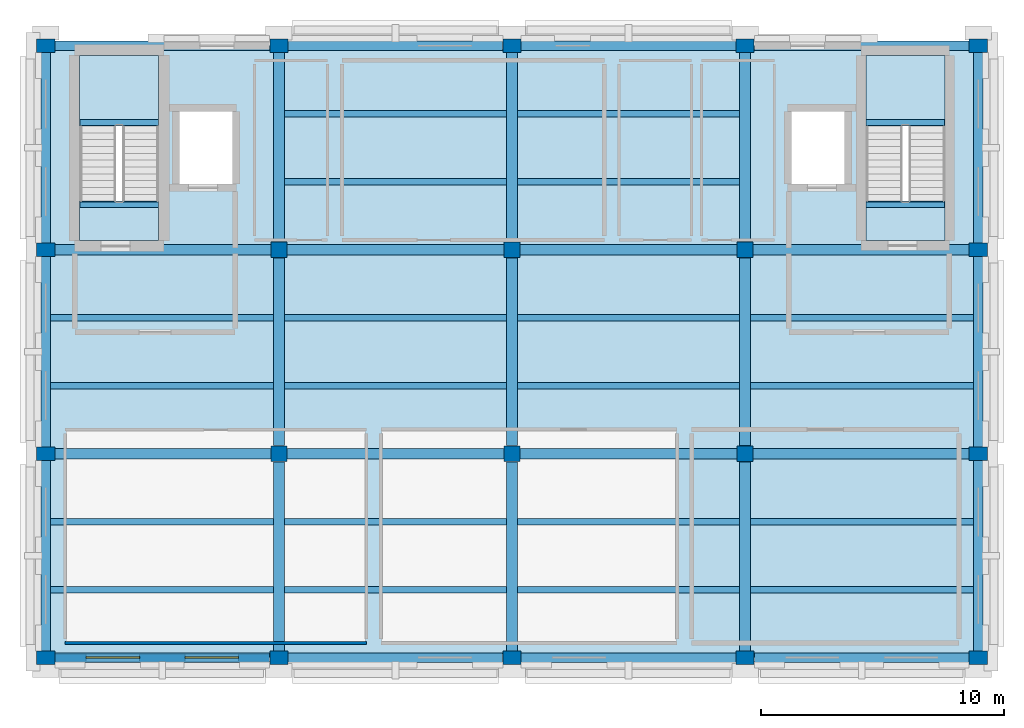
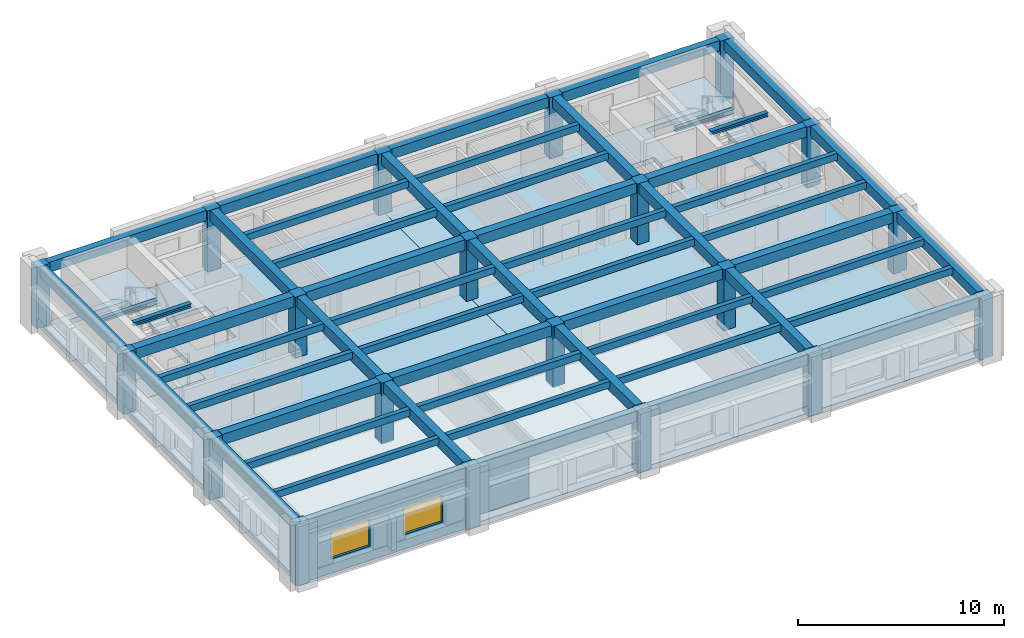
# One storey, part 1 of 7: 55 beams, 20 columns, 6 slabs, 2 walls, 2 windows, 2 openings, 2 elements without a shape of their own.
"""IFC4 building model written with IfcOpenShell, lengths in metres."""

from ifc_helpers import new_model, si_unit, direction, frame, frame_2d, origin, origin_2d, place, context, subcontext, project, spatial, polyline, rectangle, i_section, outline, extrude, material, layer, layer_set, material_profile, profile_set, type_object, element, fill, aggregate, save


model = new_model("IFC4")

# Units and contexts
model_context = context("Model", 3, precision=1e-05, world=origin(), true_north=direction((0.0, 1.0)))
body_context = subcontext(model_context, "Body", "Model", "MODEL_VIEW")
ifc_project = project(units=[si_unit("LENGTHUNIT", "METRE"), si_unit("AREAUNIT", "SQUARE_METRE"), si_unit("VOLUMEUNIT", "CUBIC_METRE"), si_unit("PLANEANGLEUNIT", "RADIAN"), si_unit("MASSUNIT", "GRAM", prefix="KILO")], contexts=[model_context])

# Site, building, storey
site_placement = place(None, origin())
site = spatial("IfcSite", under=ifc_project, at=site_placement, CompositionType="ELEMENT")
building_placement = place(site_placement, origin())
building = spatial("IfcBuilding", under=site, at=building_placement, Name="Bempovik Park Faculty of Sciences", CompositionType="ELEMENT")
storey_placement = place(building_placement, frame((0.0, 0.0, 42.300048828125)))
storey = spatial("IfcBuildingStorey", under=building, at=storey_placement, Name="L10", CompositionType="ELEMENT", Elevation=42.300048828125)

# Columns
ifc_material_1 = material(Name="Concrete C40/50", Category="concrete")
ifc_material_profile_1 = material_profile(ifc_material_1, rectangle(XDim=0.75, YDim=0.550048828125, at=origin_2d()), Name="RC 750x550")
ifc_profile_set_1 = profile_set([ifc_material_profile_1], Name="Concrete C40/50")
column_type_1 = type_object("IfcColumnType", Name="C-43 RC 750x550", PredefinedType="COLUMN", material=ifc_profile_set_1)
for number, where, z_axis, x_axis, name in (
    (1, (69.60009765625, 94.199951171875, 0.0), (0.0, 0.0, 1.0), (1.0, 0.0, 0.0), "L10 Structural Column (69.6,94.2)"),
    (2, (69.60009765625, 102.60009765625, 0.0), (0.0, 0.0, 1.0), (1.0, 0.0, 0.0), "L10 Structural Column (69.6,102.6)"),
    (3, (69.60009765625, 111.0, 0.0), (0.0, 0.0, 1.0), (1.0, 0.0, 0.0), "L10 Structural Column (69.6,111.0)"),
    (4, (69.60009765625, 119.39990234375, 0.0), (0.0, 0.0, 1.0), (1.0, 0.0, 0.0), "L10 Structural Column (69.6,119.4)"),
    (5, (79.199951171875, 94.199951171875, 0.0), (0.0, 0.0, 1.0), (1.0, 0.0, 0.0), "L10 Structural Column (79.2,94.2)"),
    (6, (79.199951171875, 119.39990234375, 0.0), (0.0, 0.0, 1.0), (1.0, 0.0, 0.0), "L10 Structural Column (79.2,119.4)"),
    (7, (88.800048828125, 94.199951171875, 0.0), (0.0, 0.0, 1.0), (1.0, 0.0, 0.0), "L10 Structural Column (88.8,94.2)"),
    (8, (88.800048828125, 119.39990234375, 0.0), (0.0, 0.0, 1.0), (1.0, 0.0, 0.0), "L10 Structural Column (88.8,119.4)"),
    (9, (98.39990234375, 94.199951171875, 0.0), (0.0, 0.0, 1.0), (1.0, 0.0, 0.0), "L10 Structural Column (98.4,94.2)"),
    (10, (98.39990234375, 119.39990234375, 0.0), (0.0, 0.0, 1.0), (1.0, 0.0, 0.0), "L10 Structural Column (98.4,119.4)"),
    (11, (108.0, 94.199951171875, 0.0), (0.0, 0.0, 1.0), (1.0, 0.0, 0.0), "L10 Structural Column (108.0,94.2)"),
    (12, (108.0, 102.60009765625, 0.0), (0.0, 0.0, 1.0), (1.0, 0.0, 0.0), "L10 Structural Column (108.0,102.6)"),
    (13, (108.0, 111.0, 0.0), (0.0, 0.0, 1.0), (1.0, 0.0, 0.0), "L10 Structural Column (108.0,111.0)"),
    (14, (108.0, 119.39990234375, 0.0), (0.0, 0.0, 1.0), (1.0, 0.0, 0.0), "L10 Structural Column (108.0,119.4)"),
):
    element("IfcColumn", number, at=place(storey_placement, frame(where, z_axis=z_axis, x_axis=x_axis)), inside=storey, type_object=column_type_1, Name=name, PredefinedType="COLUMN", context=body_context, shape_type="SweptSolid", body=[
        extrude(rectangle(XDim=0.75, YDim=0.550048828125, at=origin_2d()), origin(), (0.0, 0.0, 1.0), 3.619873046875),
    ])
ifc_material_profile_2 = material_profile(ifc_material_1, rectangle(XDim=0.64990234375, YDim=0.64990234375, at=origin_2d()), Name="RC 650x650")
ifc_profile_set_2 = profile_set([ifc_material_profile_2], Name="Concrete C40/50")
column_type_2 = type_object("IfcColumnType", Name="C-82 RC 650x650", PredefinedType="COLUMN", material=ifc_profile_set_2)
for number, where, z_axis, x_axis, name in (
    (15, (79.199951171875, 102.60009765625, 0.0), (0.0, 0.0, 1.0), (1.0, 0.0, 0.0), "L10 Structural Column (79.2,102.6)"),
    (16, (79.199951171875, 111.0, 0.0), (0.0, 0.0, 1.0), (1.0, 0.0, 0.0), "L10 Structural Column (79.2,111.0)"),
    (17, (88.800048828125, 102.60009765625, 0.0), (0.0, 0.0, 1.0), (1.0, 0.0, 0.0), "L10 Structural Column (88.8,102.6)"),
    (18, (88.800048828125, 111.0, 0.0), (0.0, 0.0, 1.0), (1.0, 0.0, 0.0), "L10 Structural Column (88.8,111.0)"),
    (19, (98.39990234375, 102.60009765625, 0.0), (0.0, 0.0, 1.0), (1.0, 0.0, 0.0), "L10 Structural Column (98.4,102.6)"),
    (20, (98.39990234375, 111.0, 0.0), (0.0, 0.0, 1.0), (1.0, 0.0, 0.0), "L10 Structural Column (98.4,111.0)"),
):
    element("IfcColumn", number, at=place(storey_placement, frame(where, z_axis=z_axis, x_axis=x_axis)), inside=storey, type_object=column_type_2, Name=name, PredefinedType="COLUMN", context=body_context, shape_type="SweptSolid", body=[
        extrude(rectangle(XDim=0.64990234375, YDim=0.64990234375, at=origin_2d()), origin(), (0.0, 0.0, 1.0), 3.619873046875),
    ])

# Beams
ifc_material_2 = material(Name="Concrete C35/45", Category="concrete")
ifc_material_profile_3 = material_profile(ifc_material_2, rectangle(XDim=0.3798828125, YDim=0.60009765625, at=origin_2d()), Name="RC 380x600")
ifc_profile_set_3 = profile_set([ifc_material_profile_3], Name="Concrete C35/45")
beam_type_1 = type_object("IfcBeamType", Name="B-032 RC 380x600", PredefinedType="SPANDREL", material=ifc_profile_set_3)
beam_1_placement = place(storey_placement, frame((69.98095703125, 94.199951171875, 3.320068359375), z_axis=(1.0, 0.0, 0.0), x_axis=(0.0, 1.0, 0.0)))
element("IfcBeam", 21, at=beam_1_placement, inside=storey, type_object=beam_type_1, Name="L10 Beam X (69.6-79.2, y=94.2)", PredefinedType="SPANDREL", context=body_context, shape_type="SweptSolid", body=[
    extrude(rectangle(XDim=0.3798828125, YDim=0.60009765625, at=origin_2d()), origin(), (0.0, 0.0, 1.0), 8.838134765625),
])
beam_2_placement = place(storey_placement, frame((79.5810546875, 94.199951171875, 3.320068359375), z_axis=(1.0, 0.0, 0.0), x_axis=(0.0, 1.0, 0.0)))
element("IfcBeam", 22, at=beam_2_placement, inside=storey, type_object=beam_type_1, Name="L10 Beam X (79.2-88.8, y=94.2)", PredefinedType="SPANDREL", context=body_context, shape_type="SweptSolid", body=[
    extrude(rectangle(XDim=0.3798828125, YDim=0.60009765625, at=origin_2d()), origin(), (0.0, 0.0, 1.0), 8.837890625),
])
beam_3_placement = place(storey_placement, frame((89.180908203125, 94.199951171875, 3.320068359375), z_axis=(1.0, 0.0, 0.0), x_axis=(0.0, 1.0, 0.0)))
element("IfcBeam", 23, at=beam_3_placement, inside=storey, type_object=beam_type_1, Name="L10 Beam X (88.8-98.4, y=94.2)", PredefinedType="SPANDREL", context=body_context, shape_type="SweptSolid", body=[
    extrude(rectangle(XDim=0.3798828125, YDim=0.60009765625, at=origin_2d()), origin(), (0.0, 0.0, 1.0), 8.838134765625),
])
beam_4_placement = place(storey_placement, frame((98.781005859375, 94.199951171875, 3.320068359375), z_axis=(1.0, 0.0, 0.0), x_axis=(0.0, 1.0, 0.0)))
element("IfcBeam", 24, at=beam_4_placement, inside=storey, type_object=beam_type_1, Name="L10 Beam X (98.4-108.0, y=94.2)", PredefinedType="SPANDREL", context=body_context, shape_type="SweptSolid", body=[
    extrude(rectangle(XDim=0.3798828125, YDim=0.60009765625, at=origin_2d()), origin(), (0.0, 0.0, 1.0), 8.837890625),
])
beam_5_placement = place(storey_placement, frame((69.98095703125, 119.39990234375, 3.320068359375), z_axis=(1.0, 0.0, 0.0), x_axis=(0.0, 1.0, 0.0)))
element("IfcBeam", 25, at=beam_5_placement, inside=storey, type_object=beam_type_1, Name="L10 Beam X (69.6-79.2, y=119.4)", PredefinedType="SPANDREL", context=body_context, shape_type="SweptSolid", body=[
    extrude(rectangle(XDim=0.3798828125, YDim=0.60009765625, at=origin_2d()), origin(), (0.0, 0.0, 1.0), 8.838134765625),
])
beam_6_placement = place(storey_placement, frame((79.5810546875, 119.39990234375, 3.320068359375), z_axis=(1.0, 0.0, 0.0), x_axis=(0.0, 1.0, 0.0)))
element("IfcBeam", 26, at=beam_6_placement, inside=storey, type_object=beam_type_1, Name="L10 Beam X (79.2-88.8, y=119.4)", PredefinedType="SPANDREL", context=body_context, shape_type="SweptSolid", body=[
    extrude(rectangle(XDim=0.3798828125, YDim=0.60009765625, at=origin_2d()), origin(), (0.0, 0.0, 1.0), 8.837890625),
])
beam_7_placement = place(storey_placement, frame((89.180908203125, 119.39990234375, 3.320068359375), z_axis=(1.0, 0.0, 0.0), x_axis=(0.0, 1.0, 0.0)))
element("IfcBeam", 27, at=beam_7_placement, inside=storey, type_object=beam_type_1, Name="L10 Beam X (88.8-98.4, y=119.4)", PredefinedType="SPANDREL", context=body_context, shape_type="SweptSolid", body=[
    extrude(rectangle(XDim=0.3798828125, YDim=0.60009765625, at=origin_2d()), origin(), (0.0, 0.0, 1.0), 8.838134765625),
])
beam_8_placement = place(storey_placement, frame((98.781005859375, 119.39990234375, 3.320068359375), z_axis=(1.0, 0.0, 0.0), x_axis=(0.0, 1.0, 0.0)))
element("IfcBeam", 28, at=beam_8_placement, inside=storey, type_object=beam_type_1, Name="L10 Beam X (98.4-108.0, y=119.4)", PredefinedType="SPANDREL", context=body_context, shape_type="SweptSolid", body=[
    extrude(rectangle(XDim=0.3798828125, YDim=0.60009765625, at=origin_2d()), origin(), (0.0, 0.0, 1.0), 8.837890625),
])
beam_9_placement = place(storey_placement, frame((69.60009765625, 94.48095703125, 3.320068359375), z_axis=(0.0, 1.0, 0.0), x_axis=(-1.0, 0.0, 0.0)))
element("IfcBeam", 29, at=beam_9_placement, inside=storey, type_object=beam_type_1, Name="L10 Beam Y (x=69.6, 94.2-102.6)", PredefinedType="SPANDREL", context=body_context, shape_type="SweptSolid", body=[
    extrude(rectangle(XDim=0.3798828125, YDim=0.60009765625, at=origin_2d()), origin(), (0.0, 0.0, 1.0), 7.838134765625),
])
for number, where, z_axis, x_axis, name in (
    (30, (69.60009765625, 102.881103515625, 3.320068359375), (0.0, 1.0, 0.0), (-1.0, 0.0, 0.0), "L10 Beam Y (x=69.6, 102.6-111.0)"),
    (31, (69.60009765625, 111.281005859375, 3.320068359375), (0.0, 1.0, 0.0), (-1.0, 0.0, 0.0), "L10 Beam Y (x=69.6, 111.0-119.4)"),
):
    element("IfcBeam", number, at=place(storey_placement, frame(where, z_axis=z_axis, x_axis=x_axis)), inside=storey, type_object=beam_type_1, Name=name, PredefinedType="SPANDREL", context=body_context, shape_type="SweptSolid", body=[
        extrude(rectangle(XDim=0.3798828125, YDim=0.60009765625, at=origin_2d()), origin(), (0.0, 0.0, 1.0), 7.837890625),
    ])
beam_10_placement = place(storey_placement, frame((108.0, 94.48095703125, 3.320068359375), z_axis=(0.0, 1.0, 0.0), x_axis=(-1.0, 0.0, 0.0)))
element("IfcBeam", 32, at=beam_10_placement, inside=storey, type_object=beam_type_1, Name="L10 Beam Y (x=108.0, 94.2-102.6)", PredefinedType="SPANDREL", context=body_context, shape_type="SweptSolid", body=[
    extrude(rectangle(XDim=0.3798828125, YDim=0.60009765625, at=origin_2d()), origin(), (0.0, 0.0, 1.0), 7.838134765625),
])
for number, where, z_axis, x_axis, name in (
    (33, (108.0, 102.881103515625, 3.320068359375), (0.0, 1.0, 0.0), (-1.0, 0.0, 0.0), "L10 Beam Y (x=108.0, 102.6-111.0)"),
    (34, (108.0, 111.281005859375, 3.320068359375), (0.0, 1.0, 0.0), (-1.0, 0.0, 0.0), "L10 Beam Y (x=108.0, 111.0-119.4)"),
):
    element("IfcBeam", number, at=place(storey_placement, frame(where, z_axis=z_axis, x_axis=x_axis)), inside=storey, type_object=beam_type_1, Name=name, PredefinedType="SPANDREL", context=body_context, shape_type="SweptSolid", body=[
        extrude(rectangle(XDim=0.3798828125, YDim=0.60009765625, at=origin_2d()), origin(), (0.0, 0.0, 1.0), 7.837890625),
    ])
ifc_material_profile_4 = material_profile(ifc_material_2, rectangle(XDim=0.260009765625, YDim=0.39990234375, at=origin_2d()), Name="RC 260x400")
ifc_profile_set_4 = profile_set([ifc_material_profile_4], Name="Concrete C35/45")
beam_type_2 = type_object("IfcBeamType", Name="B-063 RC 260x400", PredefinedType="JOIST", material=ifc_profile_set_4)
for number, where, z_axis, x_axis, name in (
    (35, (69.7958984375, 97.0, 3.419921875), (1.0, 0.0, 0.0), (0.0, 1.0, 0.0), "L10 Secondary Joist (69.6-79.2, y=97.00)"),
    (36, (69.7958984375, 99.800048828125, 3.419921875), (1.0, 0.0, 0.0), (0.0, 1.0, 0.0), "L10 Secondary Joist (69.6-79.2, y=99.80)"),
    (37, (69.7958984375, 105.39990234375, 3.419921875), (1.0, 0.0, 0.0), (0.0, 1.0, 0.0), "L10 Secondary Joist (69.6-79.2, y=105.40)"),
    (38, (69.7958984375, 108.199951171875, 3.419921875), (1.0, 0.0, 0.0), (0.0, 1.0, 0.0), "L10 Secondary Joist (69.6-79.2, y=108.20)"),
):
    element("IfcBeam", number, at=place(storey_placement, frame(where, z_axis=z_axis, x_axis=x_axis)), inside=storey, type_object=beam_type_2, Name=name, PredefinedType="JOIST", context=body_context, shape_type="SweptSolid", body=[
        extrude(rectangle(XDim=0.260009765625, YDim=0.39990234375, at=origin_2d()), origin(), (0.0, 0.0, 1.0), 9.173095703125),
    ])
for number, where, z_axis, x_axis, name in (
    (39, (79.430908203125, 97.0, 3.419921875), (1.0, 0.0, 0.0), (0.0, 1.0, 0.0), "L10 Secondary Joist (79.2-88.8, y=97.00)"),
    (40, (79.430908203125, 99.800048828125, 3.419921875), (1.0, 0.0, 0.0), (0.0, 1.0, 0.0), "L10 Secondary Joist (79.2-88.8, y=99.80)"),
    (41, (79.430908203125, 105.39990234375, 3.419921875), (1.0, 0.0, 0.0), (0.0, 1.0, 0.0), "L10 Secondary Joist (79.2-88.8, y=105.40)"),
    (42, (79.430908203125, 108.199951171875, 3.419921875), (1.0, 0.0, 0.0), (0.0, 1.0, 0.0), "L10 Secondary Joist (79.2-88.8, y=108.20)"),
    (43, (79.430908203125, 113.800048828125, 3.419921875), (1.0, 0.0, 0.0), (0.0, 1.0, 0.0), "L10 Secondary Joist (79.2-88.8, y=113.80)"),
    (44, (79.430908203125, 116.60009765625, 3.419921875), (1.0, 0.0, 0.0), (0.0, 1.0, 0.0), "L10 Secondary Joist (79.2-88.8, y=116.60)"),
):
    element("IfcBeam", number, at=place(storey_placement, frame(where, z_axis=z_axis, x_axis=x_axis)), inside=storey, type_object=beam_type_2, Name=name, PredefinedType="JOIST", context=body_context, shape_type="SweptSolid", body=[
        extrude(rectangle(XDim=0.260009765625, YDim=0.39990234375, at=origin_2d()), origin(), (0.0, 0.0, 1.0), 9.13818359375),
    ])
for number, where, z_axis, x_axis, name in (
    (45, (89.031005859375, 97.0, 3.419921875), (1.0, 0.0, 0.0), (0.0, 1.0, 0.0), "L10 Secondary Joist (88.8-98.4, y=97.00)"),
    (46, (89.031005859375, 99.800048828125, 3.419921875), (1.0, 0.0, 0.0), (0.0, 1.0, 0.0), "L10 Secondary Joist (88.8-98.4, y=99.80)"),
    (47, (89.031005859375, 105.39990234375, 3.419921875), (1.0, 0.0, 0.0), (0.0, 1.0, 0.0), "L10 Secondary Joist (88.8-98.4, y=105.40)"),
    (48, (89.031005859375, 108.199951171875, 3.419921875), (1.0, 0.0, 0.0), (0.0, 1.0, 0.0), "L10 Secondary Joist (88.8-98.4, y=108.20)"),
    (49, (89.031005859375, 113.800048828125, 3.419921875), (1.0, 0.0, 0.0), (0.0, 1.0, 0.0), "L10 Secondary Joist (88.8-98.4, y=113.80)"),
    (50, (89.031005859375, 116.60009765625, 3.419921875), (1.0, 0.0, 0.0), (0.0, 1.0, 0.0), "L10 Secondary Joist (88.8-98.4, y=116.60)"),
):
    element("IfcBeam", number, at=place(storey_placement, frame(where, z_axis=z_axis, x_axis=x_axis)), inside=storey, type_object=beam_type_2, Name=name, PredefinedType="JOIST", context=body_context, shape_type="SweptSolid", body=[
        extrude(rectangle(XDim=0.260009765625, YDim=0.39990234375, at=origin_2d()), origin(), (0.0, 0.0, 1.0), 9.137939453125),
    ])
for number, where, z_axis, x_axis, name in (
    (51, (98.631103515625, 97.0, 3.419921875), (1.0, 0.0, 0.0), (0.0, 1.0, 0.0), "L10 Secondary Joist (98.4-108.0, y=97.00)"),
    (52, (98.631103515625, 99.800048828125, 3.419921875), (1.0, 0.0, 0.0), (0.0, 1.0, 0.0), "L10 Secondary Joist (98.4-108.0, y=99.80)"),
    (53, (98.631103515625, 105.39990234375, 3.419921875), (1.0, 0.0, 0.0), (0.0, 1.0, 0.0), "L10 Secondary Joist (98.4-108.0, y=105.40)"),
    (54, (98.631103515625, 108.199951171875, 3.419921875), (1.0, 0.0, 0.0), (0.0, 1.0, 0.0), "L10 Secondary Joist (98.4-108.0, y=108.20)"),
):
    element("IfcBeam", number, at=place(storey_placement, frame(where, z_axis=z_axis, x_axis=x_axis)), inside=storey, type_object=beam_type_2, Name=name, PredefinedType="JOIST", context=body_context, shape_type="SweptSolid", body=[
        extrude(rectangle(XDim=0.260009765625, YDim=0.39990234375, at=origin_2d()), origin(), (0.0, 0.0, 1.0), 9.1728515625),
    ])
ifc_material_3 = material(Name="Steel S355", Category="steel")
ifc_material_profile_5 = material_profile(ifc_material_3, i_section(OverallWidth=0.239990234375, OverallDepth=0.22998046875, WebThickness=0.007568359375, FlangeThickness=0.011962890625, at=origin_2d()), Name="HEA 240")
ifc_profile_set_5 = profile_set([ifc_material_profile_5], Name="Steel S355")
beam_type_3 = type_object("IfcBeamType", Name="B-070 HEA 240", PredefinedType="BEAM", material=ifc_profile_set_5)
for number, where, z_axis, x_axis, name in (
    (55, (71.006103515625, 116.24365234375, 1.635009765625), (1.0, 0.0, 0.0), (0.0, 1.0, 0.0), "L10 ST-1 Half-Landing Trimmer Beam"),
    (56, (71.006103515625, 112.85009765625, 3.5048828125), (1.0, 0.0, 0.0), (0.0, 1.0, 0.0), "L11 ST-1 Floor Landing Trimmer Beam"),
    (57, (103.381103515625, 116.24365234375, 1.635009765625), (1.0, 0.0, 0.0), (0.0, 1.0, 0.0), "L10 ST-2 Half-Landing Trimmer Beam"),
    (58, (103.381103515625, 112.85009765625, 3.5048828125), (1.0, 0.0, 0.0), (0.0, 1.0, 0.0), "L11 ST-2 Floor Landing Trimmer Beam"),
):
    element("IfcBeam", number, at=place(storey_placement, frame(where, z_axis=z_axis, x_axis=x_axis)), inside=storey, type_object=beam_type_3, Name=name, PredefinedType="BEAM", context=body_context, shape_type="SweptSolid", body=[
        extrude(i_section(OverallWidth=0.239990234375, OverallDepth=0.22998046875, WebThickness=0.007568359375, FlangeThickness=0.011962890625, at=origin_2d()), origin(), (0.0, 0.0, 1.0), 3.23779296875),
    ])
ifc_material_profile_6 = material_profile(ifc_material_2, rectangle(XDim=0.449951171875, YDim=0.6201171875, at=origin_2d()), Name="RC 450x620")
ifc_profile_set_6 = profile_set([ifc_material_profile_6], Name="Concrete C35/45")
beam_type_4 = type_object("IfcBeamType", Name="B-114 RC 450x620", PredefinedType="BEAM", material=ifc_profile_set_6)
beam_11_placement = place(storey_placement, frame((69.98095703125, 102.60009765625, 3.31005859375), z_axis=(1.0, 0.0, 0.0), x_axis=(0.0, 1.0, 0.0)))
element("IfcBeam", 59, at=beam_11_placement, inside=storey, type_object=beam_type_4, Name="L10 Beam X (69.6-79.2, y=102.6)", PredefinedType="BEAM", context=body_context, shape_type="SweptSolid", body=[
    extrude(rectangle(XDim=0.449951171875, YDim=0.6201171875, at=origin_2d()), origin(), (0.0, 0.0, 1.0), 8.887939453125),
])
for number, where, z_axis, x_axis, name in (
    (60, (79.531005859375, 102.60009765625, 3.31005859375), (1.0, 0.0, 0.0), (0.0, 1.0, 0.0), "L10 Beam X (79.2-88.8, y=102.6)"),
    (61, (89.131103515625, 102.60009765625, 3.31005859375), (1.0, 0.0, 0.0), (0.0, 1.0, 0.0), "L10 Beam X (88.8-98.4, y=102.6)"),
):
    element("IfcBeam", number, at=place(storey_placement, frame(where, z_axis=z_axis, x_axis=x_axis)), inside=storey, type_object=beam_type_4, Name=name, PredefinedType="BEAM", context=body_context, shape_type="SweptSolid", body=[
        extrude(rectangle(XDim=0.449951171875, YDim=0.6201171875, at=origin_2d()), origin(), (0.0, 0.0, 1.0), 8.93798828125),
    ])
for number, where, z_axis, x_axis, name in (
    (62, (98.73095703125, 102.60009765625, 3.31005859375), (1.0, 0.0, 0.0), (0.0, 1.0, 0.0), "L10 Beam X (98.4-108.0, y=102.6)"),
    (63, (69.98095703125, 111.0, 3.31005859375), (1.0, 0.0, 0.0), (0.0, 1.0, 0.0), "L10 Beam X (69.6-79.2, y=111.0)"),
):
    element("IfcBeam", number, at=place(storey_placement, frame(where, z_axis=z_axis, x_axis=x_axis)), inside=storey, type_object=beam_type_4, Name=name, PredefinedType="BEAM", context=body_context, shape_type="SweptSolid", body=[
        extrude(rectangle(XDim=0.449951171875, YDim=0.6201171875, at=origin_2d()), origin(), (0.0, 0.0, 1.0), 8.887939453125),
    ])
for number, where, z_axis, x_axis, name in (
    (64, (79.531005859375, 111.0, 3.31005859375), (1.0, 0.0, 0.0), (0.0, 1.0, 0.0), "L10 Beam X (79.2-88.8, y=111.0)"),
    (65, (89.131103515625, 111.0, 3.31005859375), (1.0, 0.0, 0.0), (0.0, 1.0, 0.0), "L10 Beam X (88.8-98.4, y=111.0)"),
):
    element("IfcBeam", number, at=place(storey_placement, frame(where, z_axis=z_axis, x_axis=x_axis)), inside=storey, type_object=beam_type_4, Name=name, PredefinedType="BEAM", context=body_context, shape_type="SweptSolid", body=[
        extrude(rectangle(XDim=0.449951171875, YDim=0.6201171875, at=origin_2d()), origin(), (0.0, 0.0, 1.0), 8.93798828125),
    ])
beam_12_placement = place(storey_placement, frame((98.73095703125, 111.0, 3.31005859375), z_axis=(1.0, 0.0, 0.0), x_axis=(0.0, 1.0, 0.0)))
element("IfcBeam", 66, at=beam_12_placement, inside=storey, type_object=beam_type_4, Name="L10 Beam X (98.4-108.0, y=111.0)", PredefinedType="BEAM", context=body_context, shape_type="SweptSolid", body=[
    extrude(rectangle(XDim=0.449951171875, YDim=0.6201171875, at=origin_2d()), origin(), (0.0, 0.0, 1.0), 8.887939453125),
])
beam_13_placement = place(storey_placement, frame((79.199951171875, 94.48095703125, 3.31005859375), z_axis=(0.0, 1.0, 0.0), x_axis=(-1.0, 0.0, 0.0)))
element("IfcBeam", 67, at=beam_13_placement, inside=storey, type_object=beam_type_4, Name="L10 Beam Y (x=79.2, 94.2-102.6)", PredefinedType="BEAM", context=body_context, shape_type="SweptSolid", body=[
    extrude(rectangle(XDim=0.449951171875, YDim=0.6201171875, at=origin_2d()), origin(), (0.0, 0.0, 1.0), 7.7880859375),
])
beam_14_placement = place(storey_placement, frame((79.199951171875, 102.930908203125, 3.31005859375), z_axis=(0.0, 1.0, 0.0), x_axis=(-1.0, 0.0, 0.0)))
element("IfcBeam", 68, at=beam_14_placement, inside=storey, type_object=beam_type_4, Name="L10 Beam Y (x=79.2, 102.6-111.0)", PredefinedType="BEAM", context=body_context, shape_type="SweptSolid", body=[
    extrude(rectangle(XDim=0.449951171875, YDim=0.6201171875, at=origin_2d()), origin(), (0.0, 0.0, 1.0), 7.738037109375),
])
beam_15_placement = place(storey_placement, frame((79.199951171875, 111.3310546875, 3.31005859375), z_axis=(0.0, 1.0, 0.0), x_axis=(-1.0, 0.0, 0.0)))
element("IfcBeam", 69, at=beam_15_placement, inside=storey, type_object=beam_type_4, Name="L10 Beam Y (x=79.2, 111.0-119.4)", PredefinedType="BEAM", context=body_context, shape_type="SweptSolid", body=[
    extrude(rectangle(XDim=0.449951171875, YDim=0.6201171875, at=origin_2d()), origin(), (0.0, 0.0, 1.0), 7.787841796875),
])
beam_16_placement = place(storey_placement, frame((88.800048828125, 94.48095703125, 3.31005859375), z_axis=(0.0, 1.0, 0.0), x_axis=(-1.0, 0.0, 0.0)))
element("IfcBeam", 70, at=beam_16_placement, inside=storey, type_object=beam_type_4, Name="L10 Beam Y (x=88.8, 94.2-102.6)", PredefinedType="BEAM", context=body_context, shape_type="SweptSolid", body=[
    extrude(rectangle(XDim=0.449951171875, YDim=0.6201171875, at=origin_2d()), origin(), (0.0, 0.0, 1.0), 7.7880859375),
])
beam_17_placement = place(storey_placement, frame((88.800048828125, 102.930908203125, 3.31005859375), z_axis=(0.0, 1.0, 0.0), x_axis=(-1.0, 0.0, 0.0)))
element("IfcBeam", 71, at=beam_17_placement, inside=storey, type_object=beam_type_4, Name="L10 Beam Y (x=88.8, 102.6-111.0)", PredefinedType="BEAM", context=body_context, shape_type="SweptSolid", body=[
    extrude(rectangle(XDim=0.449951171875, YDim=0.6201171875, at=origin_2d()), origin(), (0.0, 0.0, 1.0), 7.738037109375),
])
beam_18_placement = place(storey_placement, frame((88.800048828125, 111.3310546875, 3.31005859375), z_axis=(0.0, 1.0, 0.0), x_axis=(-1.0, 0.0, 0.0)))
element("IfcBeam", 72, at=beam_18_placement, inside=storey, type_object=beam_type_4, Name="L10 Beam Y (x=88.8, 111.0-119.4)", PredefinedType="BEAM", context=body_context, shape_type="SweptSolid", body=[
    extrude(rectangle(XDim=0.449951171875, YDim=0.6201171875, at=origin_2d()), origin(), (0.0, 0.0, 1.0), 7.787841796875),
])
beam_19_placement = place(storey_placement, frame((98.39990234375, 94.48095703125, 3.31005859375), z_axis=(0.0, 1.0, 0.0), x_axis=(-1.0, 0.0, 0.0)))
element("IfcBeam", 73, at=beam_19_placement, inside=storey, type_object=beam_type_4, Name="L10 Beam Y (x=98.4, 94.2-102.6)", PredefinedType="BEAM", context=body_context, shape_type="SweptSolid", body=[
    extrude(rectangle(XDim=0.449951171875, YDim=0.6201171875, at=origin_2d()), origin(), (0.0, 0.0, 1.0), 7.7880859375),
])
beam_20_placement = place(storey_placement, frame((98.39990234375, 102.930908203125, 3.31005859375), z_axis=(0.0, 1.0, 0.0), x_axis=(-1.0, 0.0, 0.0)))
element("IfcBeam", 74, at=beam_20_placement, inside=storey, type_object=beam_type_4, Name="L10 Beam Y (x=98.4, 102.6-111.0)", PredefinedType="BEAM", context=body_context, shape_type="SweptSolid", body=[
    extrude(rectangle(XDim=0.449951171875, YDim=0.6201171875, at=origin_2d()), origin(), (0.0, 0.0, 1.0), 7.738037109375),
])
beam_21_placement = place(storey_placement, frame((98.39990234375, 111.3310546875, 3.31005859375), z_axis=(0.0, 1.0, 0.0), x_axis=(-1.0, 0.0, 0.0)))
element("IfcBeam", 75, at=beam_21_placement, inside=storey, type_object=beam_type_4, Name="L10 Beam Y (x=98.4, 111.0-119.4)", PredefinedType="BEAM", context=body_context, shape_type="SweptSolid", body=[
    extrude(rectangle(XDim=0.449951171875, YDim=0.6201171875, at=origin_2d()), origin(), (0.0, 0.0, 1.0), 7.787841796875),
])

# Slabs
ifc_layer_1 = layer(ifc_material_2, 0.280029296875)
ifc_layer_set_1 = layer_set([ifc_layer_1], Name="Concrete C35/45")
slab_type_1 = type_object("IfcSlabType", Name="S-32 Slab 280mm", PredefinedType="FLOOR", material=ifc_layer_set_1)
slab_1_placement = place(storey_placement, frame((0.0, 0.0, -0.280029296875)))
element("IfcSlab", 76, at=slab_1_placement, inside=storey, type_object=slab_type_1, Name="L10 North Research Tower Floor Slab (W)", PredefinedType="FLOOR", context=body_context, shape_type="SweptSolid", body=[
    extrude(outline(polyline([(69.60009765625, 94.199951171875), (88.800048828125, 94.199951171875), (88.800048828125, 119.39990234375), (69.60009765625, 119.39990234375), (69.60009765625, 94.199951171875)]), holes=[polyline([(71.0, 111.375), (74.25, 111.375), (74.25, 119.0), (71.0, 119.0), (71.0, 111.375)]), polyline([(75.10009765625, 113.699951171875), (77.300048828125, 113.699951171875), (77.300048828125, 116.699951171875), (75.10009765625, 116.699951171875), (75.10009765625, 113.699951171875)])]), origin(), (0.0, 0.0, 1.0), 0.280029296875),
])
slab_2_placement = place(storey_placement, frame((0.0, 0.0, -0.280029296875)))
element("IfcSlab", 77, at=slab_2_placement, inside=storey, type_object=slab_type_1, Name="L10 North Research Tower Floor Slab (E)", PredefinedType="FLOOR", context=body_context, shape_type="SweptSolid", body=[
    extrude(outline(polyline([(88.800048828125, 94.199951171875), (108.0, 94.199951171875), (108.0, 119.39990234375), (88.800048828125, 119.39990234375), (88.800048828125, 94.199951171875)]), holes=[polyline([(103.375, 111.375), (106.625, 111.375), (106.625, 119.0), (103.375, 119.0), (103.375, 111.375)]), polyline([(100.300048828125, 113.699951171875), (102.5, 113.699951171875), (102.5, 116.699951171875), (100.300048828125, 116.699951171875), (100.300048828125, 113.699951171875)])]), origin(), (0.0, 0.0, 1.0), 0.280029296875),
])

# Stair, slab
stair_type = type_object("IfcStairType", Name="ST-17 Stair W1500 H3900", PredefinedType="HALF_TURN_STAIR", material=ifc_material_2)
stair_1_placement = place(storey_placement, origin())
stair_1 = element("IfcStair", 78, at=stair_1_placement, inside=storey, type_object=stair_type, Name="L10 ST-1 Dog-Leg Exit Stair", PredefinedType="HALF_TURN_STAIR")
ifc_layer_2 = layer(ifc_material_2, 0.199951171875)
ifc_layer_set_2 = layer_set([ifc_layer_2], Name="Concrete C35/45")
slab_type_2 = type_object("IfcSlabType", Name="S-41 Slab 200mm", PredefinedType="LANDING", material=ifc_layer_set_2)
slab_3_placement = place(storey_placement, frame((0.0, 0.0, 1.75)))
slab_3 = element("IfcSlab", 79, at=slab_3_placement, type_object=slab_type_2, Name="ST-17 landing 1", PredefinedType="LANDING", context=body_context, shape_type="SweptSolid", body=[
    extrude(outline(polyline([(74.25, 116.09375), (74.25, 119.0), (71.0, 119.0), (71.0, 116.09375), (74.25, 116.09375)])), origin(), (0.0, 0.0, 1.0), 0.199951171875),
])
aggregate(stair_1, [slab_3])

# Slab
slab_4_placement = place(storey_placement, frame((0.0, 0.0, -0.280029296875)))
element("IfcSlab", 80, at=slab_4_placement, inside=storey, type_object=slab_type_2, Name="L10 ST-1 Floor Landing Slab", PredefinedType="LANDING", context=body_context, shape_type="SweptSolid", body=[
    extrude(outline(polyline([(74.25, 111.375), (74.25, 113.0), (71.0, 113.0), (71.0, 111.375), (74.25, 111.375)])), origin(), (0.0, 0.0, 1.0), 0.280029296875),
])

# Stair, slab
stair_2_placement = place(storey_placement, origin())
stair_2 = element("IfcStair", 81, at=stair_2_placement, inside=storey, type_object=stair_type, Name="L10 ST-2 Dog-Leg Exit Stair", PredefinedType="HALF_TURN_STAIR")
slab_5_placement = place(storey_placement, frame((0.0, 0.0, 1.75)))
slab_5 = element("IfcSlab", 82, at=slab_5_placement, type_object=slab_type_2, Name="ST-17 landing 1", PredefinedType="LANDING", context=body_context, shape_type="SweptSolid", body=[
    extrude(outline(polyline([(106.625, 116.09375), (106.625, 119.0), (103.375, 119.0), (103.375, 116.09375), (106.625, 116.09375)])), origin(), (0.0, 0.0, 1.0), 0.199951171875),
])
aggregate(stair_2, [slab_5])

# Slab
slab_6_placement = place(storey_placement, frame((0.0, 0.0, -0.280029296875)))
element("IfcSlab", 83, at=slab_6_placement, inside=storey, type_object=slab_type_2, Name="L10 ST-2 Floor Landing Slab", PredefinedType="LANDING", context=body_context, shape_type="SweptSolid", body=[
    extrude(outline(polyline([(106.625, 111.375), (106.625, 113.0), (103.375, 113.0), (103.375, 111.375), (106.625, 111.375)])), origin(), (0.0, 0.0, 1.0), 0.280029296875),
])

# Wall
ifc_material_4 = material(Name="Gypsum acoustic stud assembly")
ifc_layer_3 = layer(ifc_material_4, 0.1201171875)
ifc_layer_set_3 = layer_set([ifc_layer_3], Name="Gypsum acoustic stud assembly")
wall_type_1 = type_object("IfcWallType", Name="W-17 Wall 120mm", PredefinedType="PARTITIONING", material=ifc_layer_set_3)
wall_1_placement = place(storey_placement, frame((70.39990234375, 94.800048828125, 0.0), z_axis=(0.0, 0.0, 1.0), x_axis=(1.0, 0.0, 0.0)))
element("IfcWall", 84, at=wall_1_placement, inside=storey, type_object=wall_type_1, Name="L10 Dean of Sciences and Faculty Secretariat Partition South", PredefinedType="PARTITIONING", context=body_context, shape_type="SweptSolid", body=[
    extrude(rectangle(XDim=12.400146484375, YDim=0.1201171875, at=frame_2d((6.2001953125, 0.0))), origin(), (0.0, 0.0, 1.0), 2.849853515625),
])

# Wall, openings, windows
ifc_material_5 = material(Name="Precast concrete C40/50", Category="concrete")
ifc_layer_4 = layer(ifc_material_5, 0.320068359375)
ifc_layer_set_4 = layer_set([ifc_layer_4], Name="Precast concrete C40/50")
wall_type_2 = type_object("IfcWallType", Name="W-56 Wall 320mm", PredefinedType="SOLIDWALL", material=ifc_layer_set_4)
wall_2_placement = place(storey_placement, frame((69.97705078125, 94.199951171875, 0.0), z_axis=(0.0, 0.0, 1.0), x_axis=(1.0, 0.0, 0.0)))
wall_2 = element("IfcWall", 85, at=wall_2_placement, inside=storey, type_object=wall_type_2, Name="L10 Classical Precast Facade Wall EW-L10-11244", PredefinedType="SOLIDWALL", context=body_context, shape_type="SweptSolid", body=[
    extrude(rectangle(XDim=8.845947265625, YDim=0.320068359375, at=frame_2d((4.4228515625, 0.0))), origin(), (0.0, 0.0, 1.0), 2.780029296875),
])
opening_1_placement = place(wall_2_placement, frame((1.288330078125, 0.0, 0.85009765625)))
opening_1 = element("IfcOpeningElement", 86, at=opening_1_placement, cuts=wall_2, Name="Opening WN-63", PredefinedType="OPENING", context=body_context, shape_type="SweptSolid", body=[
    extrude(rectangle(XDim=2.199951171875, YDim=1.60009765625, at=frame_2d((1.10009765625, 0.800048828125))), frame((0.0, 0.169921875, 0.0), z_axis=(0.0, -1.0, 0.0), x_axis=(1.0, 0.0, 0.0)), (0.0, 0.0, 1.0), 0.340087890625),
])
opening_2_placement = place(wall_2_placement, frame((5.357666015625, 0.0, 0.85009765625)))
opening_2 = element("IfcOpeningElement", 87, at=opening_2_placement, cuts=wall_2, Name="Opening WN-63", PredefinedType="OPENING", context=body_context, shape_type="SweptSolid", body=[
    extrude(rectangle(XDim=2.199951171875, YDim=1.60009765625, at=frame_2d((1.10009765625, 0.800048828125))), frame((0.0, 0.169921875, 0.0), z_axis=(0.0, -1.0, 0.0), x_axis=(1.0, 0.0, 0.0)), (0.0, 0.0, 1.0), 0.340087890625),
])
ifc_material_6 = material(Name="Tempered laminated low-E glass", Category="glass")
window_type = type_object("IfcWindowType", Name="WN-63 Window 2200x1600", PartitioningType="SINGLE_PANEL", PredefinedType="WINDOW", material=ifc_material_6)
window_1_placement = place(opening_1_placement, origin())
window_1 = element("IfcWindow", 88, at=window_1_placement, inside=storey, type_object=window_type, Name="L10 Window EW-L10-11244-1", OverallHeight=1.60009765625, OverallWidth=2.199951171875, PartitioningType="SINGLE_PANEL", PredefinedType="WINDOW", context=body_context, shape_type="SweptSolid", body=[
    extrude(rectangle(XDim=2.199951171875, YDim=1.60009765625, at=frame_2d((1.10009765625, 0.800048828125))), frame((0.0, 0.030029296875, 0.0), z_axis=(0.0, -1.0, 0.0), x_axis=(1.0, 0.0, 0.0)), (0.0, 0.0, 1.0), 0.06005859375),
])
fill(opening_1, window_1)
window_2_placement = place(opening_2_placement, origin())
window_2 = element("IfcWindow", 89, at=window_2_placement, inside=storey, type_object=window_type, Name="L10 Window EW-L10-11244-2", OverallHeight=1.60009765625, OverallWidth=2.199951171875, PartitioningType="SINGLE_PANEL", PredefinedType="WINDOW", context=body_context, shape_type="SweptSolid", body=[
    extrude(rectangle(XDim=2.199951171875, YDim=1.60009765625, at=frame_2d((1.10009765625, 0.800048828125))), frame((0.0, 0.030029296875, 0.0), z_axis=(0.0, -1.0, 0.0), x_axis=(1.0, 0.0, 0.0)), (0.0, 0.0, 1.0), 0.06005859375),
])
fill(opening_2, window_2)

save(model, "model.ifc")
